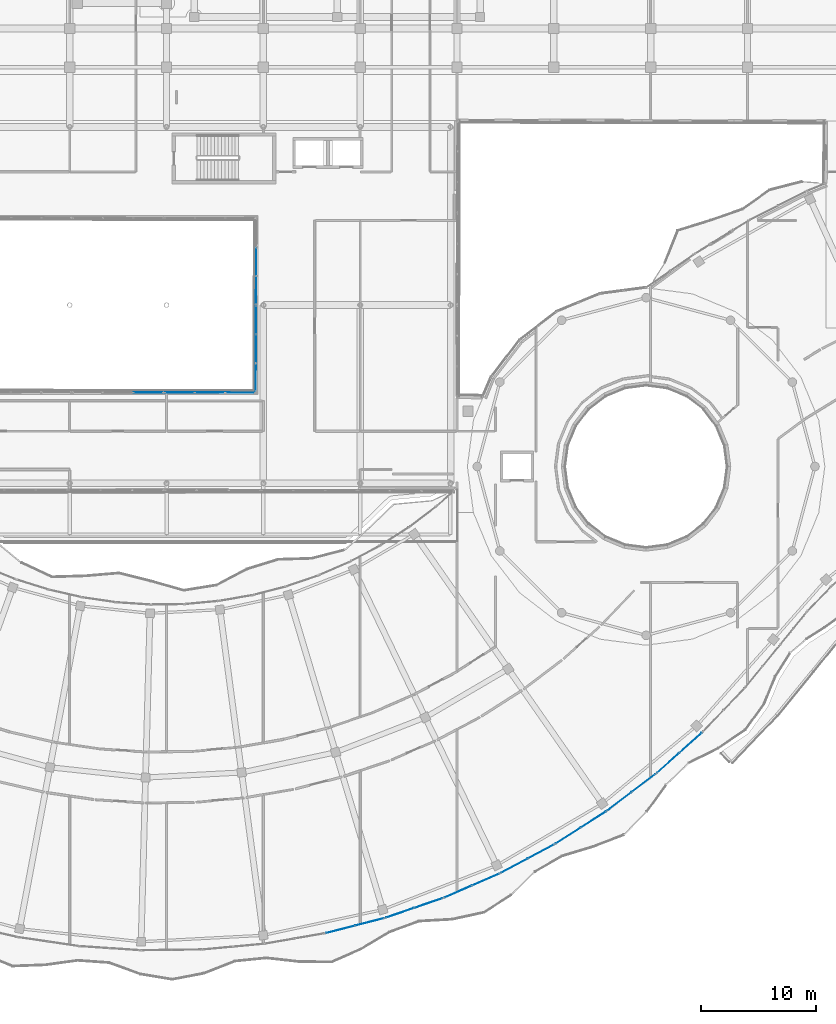
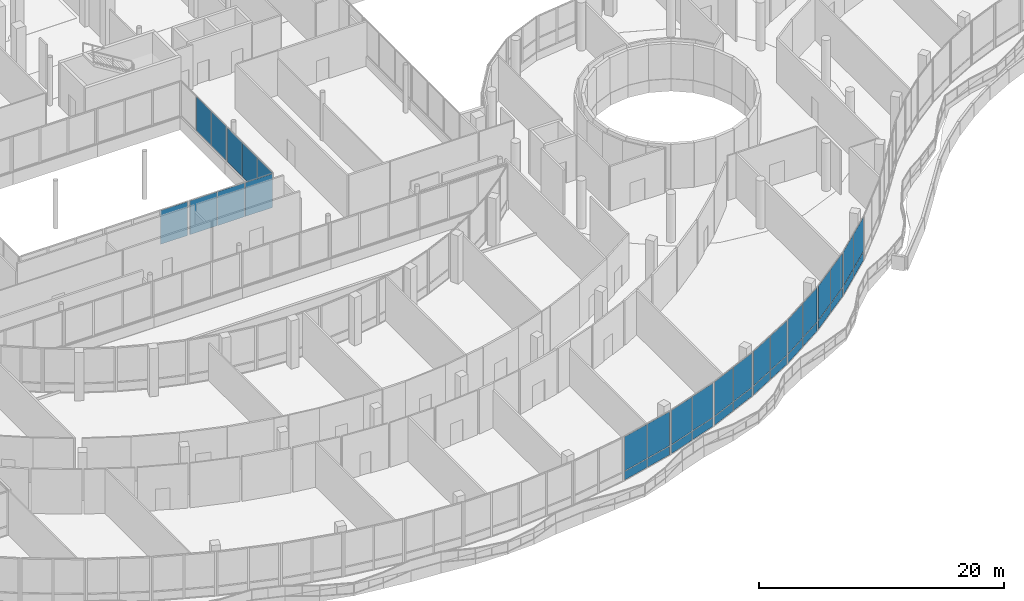
# One storey, part 126 of 168: 37 plates, 11 elements without a shape of their own.
"""IFC4 building model written with IfcOpenShell, lengths in metres."""

from ifc_helpers import new_model, si_unit, direction, frame, origin, origin_2d, place, context, subcontext, project, spatial, rectangle, extrude, material, layer, layer_set, type_object, element, aggregate, save


model = new_model("IFC4")

# Units and contexts
model_context = context("Model", 3, precision=1e-05, world=origin(), true_north=direction((0.0, 1.0)))
body_context = subcontext(model_context, "Body", "Model", "MODEL_VIEW")
ifc_project = project(units=[si_unit("LENGTHUNIT", "METRE"), si_unit("AREAUNIT", "SQUARE_METRE"), si_unit("VOLUMEUNIT", "CUBIC_METRE"), si_unit("PLANEANGLEUNIT", "RADIAN"), si_unit("MASSUNIT", "GRAM", prefix="KILO")], contexts=[model_context])

# Site, building, storey
site_placement = place(None, origin())
site = spatial("IfcSite", under=ifc_project, at=site_placement, CompositionType="ELEMENT")
building_placement = place(site_placement, origin())
building = spatial("IfcBuilding", under=site, at=building_placement, Name="Selatvlak General Hospital", CompositionType="ELEMENT")
storey_placement = place(building_placement, frame((0.0, 0.0, 5.39990234375)))
storey = spatial("IfcBuildingStorey", under=building, at=storey_placement, Name="L01", CompositionType="ELEMENT", Elevation=5.39990234375)

# Curtain wall, plates
ifc_material = material(Name="Solar-control Low-E double glazing", Category="glass")
curtain_wall_type_1 = type_object("IfcCurtainWallType", Name="CW-CW-02", PredefinedType="USERDEFINED", material=ifc_material)
curtain_wall_1_placement = place(storey_placement, origin())
curtain_wall_1 = element("IfcCurtainWall", 1, at=curtain_wall_1_placement, inside=storey, type_object=curtain_wall_type_1, Name="Glazed facade curtain wall CW-L01-0166", ObjectType="UNITISED CURTAIN WALL", PredefinedType="USERDEFINED")
ifc_layer = layer(ifc_material, 0.028076171875, Name="Solar-control Low-E double glazing", Category="glass")
ifc_layer_set = layer_set([ifc_layer], Name="Solar-control Low-E double glazing")
plate_type = type_object("IfcPlateType", Name="CWP-01", PredefinedType="CURTAIN_PANEL", material=ifc_layer_set)
plate_1_placement = place(storey_placement, frame((101.858642578125, 30.025634765625, 0.065185546875), z_axis=(0.0, 0.0, 1.0), x_axis=(-0.746343691417, -0.665560736735, 0.0)))
plate_1 = element("IfcPlate", 2, at=plate_1_placement, type_object=plate_type, Name="CW-02 panel 1.1", PredefinedType="CURTAIN_PANEL", context=body_context, shape_type="SweptSolid", body=[
    extrude(rectangle(XDim=2.54541015625, YDim=0.028076171875, at=origin_2d()), origin(), (0.0, 0.0, 1.0), 0.8525390625),
])
plate_2_placement = place(storey_placement, frame((101.858642578125, 30.025634765625, 0.982666015625), z_axis=(0.0, 0.0, 1.0), x_axis=(-0.746343691417, -0.665560736735, 0.0)))
plate_2 = element("IfcPlate", 3, at=plate_2_placement, type_object=plate_type, Name="CW-02 panel 1.2", PredefinedType="CURTAIN_PANEL", context=body_context, shape_type="SweptSolid", body=[
    extrude(rectangle(XDim=2.54541015625, YDim=0.028076171875, at=origin_2d()), origin(), (0.0, 0.0, 1.0), 3.3974609375),
])
plate_3_placement = place(storey_placement, frame((99.910400390625, 28.288330078125, 0.065185546875), z_axis=(0.0, 0.0, 1.0), x_axis=(-0.746343691417, -0.665560736735, 0.0)))
plate_3 = element("IfcPlate", 4, at=plate_3_placement, type_object=plate_type, Name="CW-02 panel 2.1", PredefinedType="CURTAIN_PANEL", context=body_context, shape_type="SweptSolid", body=[
    extrude(rectangle(XDim=2.54541015625, YDim=0.028076171875, at=origin_2d()), origin(), (0.0, 0.0, 1.0), 0.8525390625),
])
plate_4_placement = place(storey_placement, frame((99.910400390625, 28.288330078125, 0.982666015625), z_axis=(0.0, 0.0, 1.0), x_axis=(-0.746343691417, -0.665560736735, 0.0)))
plate_4 = element("IfcPlate", 5, at=plate_4_placement, type_object=plate_type, Name="CW-02 panel 2.2", PredefinedType="CURTAIN_PANEL", context=body_context, shape_type="SweptSolid", body=[
    extrude(rectangle(XDim=2.54541015625, YDim=0.028076171875, at=origin_2d()), origin(), (0.0, 0.0, 1.0), 3.3974609375),
])
aggregate(curtain_wall_1, [plate_1, plate_2, plate_3, plate_4])

curtain_wall_type_2 = type_object("IfcCurtainWallType", Name="CW-CW-01", PredefinedType="USERDEFINED", material=ifc_material)
curtain_wall_2_placement = place(storey_placement, origin())
curtain_wall_2 = element("IfcCurtainWall", 6, at=curtain_wall_2_placement, inside=storey, type_object=curtain_wall_type_2, Name="Glazed facade curtain wall CW-L01-0167", ObjectType="UNITISED CURTAIN WALL", PredefinedType="USERDEFINED")
plate_5_placement = place(storey_placement, frame((97.782958984375, 26.5400390625, 0.065185546875), z_axis=(0.0, 0.0, 1.0), x_axis=(-0.796537386874, -0.60458927489, 0.0)))
plate_5 = element("IfcPlate", 7, at=plate_5_placement, type_object=plate_type, Name="CW-01 panel 1.1", PredefinedType="CURTAIN_PANEL", context=body_context, shape_type="SweptSolid", body=[
    extrude(rectangle(XDim=2.54638671875, YDim=0.028076171875, at=origin_2d()), origin(), (0.0, 0.0, 1.0), 0.8525390625),
])
plate_6_placement = place(storey_placement, frame((97.782958984375, 26.5400390625, 0.982666015625), z_axis=(0.0, 0.0, 1.0), x_axis=(-0.796537386874, -0.60458927489, 0.0)))
plate_6 = element("IfcPlate", 8, at=plate_6_placement, type_object=plate_type, Name="CW-01 panel 1.2", PredefinedType="CURTAIN_PANEL", context=body_context, shape_type="SweptSolid", body=[
    extrude(rectangle(XDim=2.54638671875, YDim=0.028076171875, at=origin_2d()), origin(), (0.0, 0.0, 1.0), 3.3974609375),
])
plate_7_placement = place(storey_placement, frame((95.702880859375, 24.961181640625, 0.065185546875), z_axis=(0.0, 0.0, 1.0), x_axis=(-0.796537386874, -0.60458927489, 0.0)))
plate_7 = element("IfcPlate", 9, at=plate_7_placement, type_object=plate_type, Name="CW-01 panel 2.1", PredefinedType="CURTAIN_PANEL", context=body_context, shape_type="SweptSolid", body=[
    extrude(rectangle(XDim=2.54638671875, YDim=0.028076171875, at=origin_2d()), origin(), (0.0, 0.0, 1.0), 0.8525390625),
])
plate_8_placement = place(storey_placement, frame((95.702880859375, 24.961181640625, 0.982666015625), z_axis=(0.0, 0.0, 1.0), x_axis=(-0.796537386874, -0.60458927489, 0.0)))
plate_8 = element("IfcPlate", 10, at=plate_8_placement, type_object=plate_type, Name="CW-01 panel 2.2", PredefinedType="CURTAIN_PANEL", context=body_context, shape_type="SweptSolid", body=[
    extrude(rectangle(XDim=2.54638671875, YDim=0.028076171875, at=origin_2d()), origin(), (0.0, 0.0, 1.0), 3.3974609375),
])
aggregate(curtain_wall_2, [plate_5, plate_6, plate_7, plate_8])

curtain_wall_3_placement = place(storey_placement, origin())
curtain_wall_3 = element("IfcCurtainWall", 11, at=curtain_wall_3_placement, inside=storey, type_object=curtain_wall_type_1, Name="Glazed facade curtain wall CW-L01-0168", ObjectType="UNITISED CURTAIN WALL", PredefinedType="USERDEFINED")
plate_9_placement = place(storey_placement, frame((93.443115234375, 23.38671875, 0.065185546875), z_axis=(0.0, 0.0, 1.0), x_axis=(-0.842264530381, -0.539064431086, 0.0)))
plate_9 = element("IfcPlate", 12, at=plate_9_placement, type_object=plate_type, Name="CW-02 panel 1.1", PredefinedType="CURTAIN_PANEL", context=body_context, shape_type="SweptSolid", body=[
    extrude(rectangle(XDim=2.5458984375, YDim=0.028076171875, at=origin_2d()), origin(), (0.0, 0.0, 1.0), 0.8525390625),
])
plate_10_placement = place(storey_placement, frame((93.443115234375, 23.38671875, 0.982666015625), z_axis=(0.0, 0.0, 1.0), x_axis=(-0.842264530381, -0.539064431086, 0.0)))
plate_10 = element("IfcPlate", 13, at=plate_10_placement, type_object=plate_type, Name="CW-02 panel 1.2", PredefinedType="CURTAIN_PANEL", context=body_context, shape_type="SweptSolid", body=[
    extrude(rectangle(XDim=2.5458984375, YDim=0.028076171875, at=origin_2d()), origin(), (0.0, 0.0, 1.0), 3.3974609375),
])
plate_11_placement = place(storey_placement, frame((91.243896484375, 21.979248046875, 0.065185546875), z_axis=(0.0, 0.0, 1.0), x_axis=(-0.842264530381, -0.539064431086, 0.0)))
plate_11 = element("IfcPlate", 14, at=plate_11_placement, type_object=plate_type, Name="CW-02 panel 2.1", PredefinedType="CURTAIN_PANEL", context=body_context, shape_type="SweptSolid", body=[
    extrude(rectangle(XDim=2.5458984375, YDim=0.028076171875, at=origin_2d()), origin(), (0.0, 0.0, 1.0), 0.8525390625),
])
plate_12_placement = place(storey_placement, frame((91.243896484375, 21.979248046875, 0.982666015625), z_axis=(0.0, 0.0, 1.0), x_axis=(-0.842264530381, -0.539064431086, 0.0)))
plate_12 = element("IfcPlate", 15, at=plate_12_placement, type_object=plate_type, Name="CW-02 panel 2.2", PredefinedType="CURTAIN_PANEL", context=body_context, shape_type="SweptSolid", body=[
    extrude(rectangle(XDim=2.5458984375, YDim=0.028076171875, at=origin_2d()), origin(), (0.0, 0.0, 1.0), 3.3974609375),
])
aggregate(curtain_wall_3, [plate_9, plate_10, plate_11, plate_12])

curtain_wall_4_placement = place(storey_placement, origin())
curtain_wall_4 = element("IfcCurtainWall", 16, at=curtain_wall_4_placement, inside=storey, type_object=curtain_wall_type_2, Name="Glazed facade curtain wall CW-L01-0169", ObjectType="UNITISED CURTAIN WALL", PredefinedType="USERDEFINED")
plate_13_placement = place(storey_placement, frame((88.866943359375, 20.58984375, 0.065185546875), z_axis=(0.0, 0.0, 1.0), x_axis=(-0.882426269162, -0.470450719515, 0.0)))
plate_13 = element("IfcPlate", 17, at=plate_13_placement, type_object=plate_type, Name="CW-01 panel 1.1", PredefinedType="CURTAIN_PANEL", context=body_context, shape_type="SweptSolid", body=[
    extrude(rectangle(XDim=2.544677734375, YDim=0.028076171875, at=origin_2d()), origin(), (0.0, 0.0, 1.0), 0.8525390625),
])
plate_14_placement = place(storey_placement, frame((88.866943359375, 20.58984375, 0.982666015625), z_axis=(0.0, 0.0, 1.0), x_axis=(-0.882426269162, -0.470450719515, 0.0)))
plate_14 = element("IfcPlate", 18, at=plate_14_placement, type_object=plate_type, Name="CW-01 panel 1.2", PredefinedType="CURTAIN_PANEL", context=body_context, shape_type="SweptSolid", body=[
    extrude(rectangle(XDim=2.544677734375, YDim=0.028076171875, at=origin_2d()), origin(), (0.0, 0.0, 1.0), 3.3974609375),
])
plate_15_placement = place(storey_placement, frame((86.564208984375, 19.362060546875, 0.065185546875), z_axis=(0.0, 0.0, 1.0), x_axis=(-0.882426269162, -0.470450719515, 0.0)))
plate_15 = element("IfcPlate", 19, at=plate_15_placement, type_object=plate_type, Name="CW-01 panel 2.1", PredefinedType="CURTAIN_PANEL", context=body_context, shape_type="SweptSolid", body=[
    extrude(rectangle(XDim=2.544677734375, YDim=0.028076171875, at=origin_2d()), origin(), (0.0, 0.0, 1.0), 0.8525390625),
])
plate_16_placement = place(storey_placement, frame((86.564208984375, 19.362060546875, 0.982666015625), z_axis=(0.0, 0.0, 1.0), x_axis=(-0.882426269162, -0.470450719515, 0.0)))
plate_16 = element("IfcPlate", 20, at=plate_16_placement, type_object=plate_type, Name="CW-01 panel 2.2", PredefinedType="CURTAIN_PANEL", context=body_context, shape_type="SweptSolid", body=[
    extrude(rectangle(XDim=2.544677734375, YDim=0.028076171875, at=origin_2d()), origin(), (0.0, 0.0, 1.0), 3.3974609375),
])
aggregate(curtain_wall_4, [plate_13, plate_14, plate_15, plate_16])

curtain_wall_5_placement = place(storey_placement, origin())
curtain_wall_5 = element("IfcCurtainWall", 21, at=curtain_wall_5_placement, inside=storey, type_object=curtain_wall_type_1, Name="Glazed facade curtain wall CW-L01-0170", ObjectType="UNITISED CURTAIN WALL", PredefinedType="USERDEFINED")
plate_17_placement = place(storey_placement, frame((84.083984375, 18.16552734375, 0.065185546875), z_axis=(0.0, 0.0, 1.0), x_axis=(-0.916781197822, -0.399389828763, 0.0)))
plate_17 = element("IfcPlate", 22, at=plate_17_placement, type_object=plate_type, Name="CW-02 panel 1.1", PredefinedType="CURTAIN_PANEL", context=body_context, shape_type="SweptSolid", body=[
    extrude(rectangle(XDim=2.546630859375, YDim=0.028076171875, at=origin_2d()), origin(), (0.0, 0.0, 1.0), 0.8525390625),
])
plate_18_placement = place(storey_placement, frame((84.083984375, 18.16552734375, 0.982666015625), z_axis=(0.0, 0.0, 1.0), x_axis=(-0.916781197822, -0.399389828763, 0.0)))
plate_18 = element("IfcPlate", 23, at=plate_18_placement, type_object=plate_type, Name="CW-02 panel 1.2", PredefinedType="CURTAIN_PANEL", context=body_context, shape_type="SweptSolid", body=[
    extrude(rectangle(XDim=2.546630859375, YDim=0.028076171875, at=origin_2d()), origin(), (0.0, 0.0, 1.0), 3.3974609375),
])
plate_19_placement = place(storey_placement, frame((81.68994140625, 17.12255859375, 0.065185546875), z_axis=(0.0, 0.0, 1.0), x_axis=(-0.916781197822, -0.399389828763, 0.0)))
plate_19 = element("IfcPlate", 24, at=plate_19_placement, type_object=plate_type, Name="CW-02 panel 2.1", PredefinedType="CURTAIN_PANEL", context=body_context, shape_type="SweptSolid", body=[
    extrude(rectangle(XDim=2.546630859375, YDim=0.028076171875, at=origin_2d()), origin(), (0.0, 0.0, 1.0), 0.8525390625),
])
plate_20_placement = place(storey_placement, frame((81.68994140625, 17.12255859375, 0.982666015625), z_axis=(0.0, 0.0, 1.0), x_axis=(-0.916781197822, -0.399389828763, 0.0)))
plate_20 = element("IfcPlate", 25, at=plate_20_placement, type_object=plate_type, Name="CW-02 panel 2.2", PredefinedType="CURTAIN_PANEL", context=body_context, shape_type="SweptSolid", body=[
    extrude(rectangle(XDim=2.546630859375, YDim=0.028076171875, at=origin_2d()), origin(), (0.0, 0.0, 1.0), 3.3974609375),
])
aggregate(curtain_wall_5, [plate_17, plate_18, plate_19, plate_20])

curtain_wall_6_placement = place(storey_placement, origin())
curtain_wall_6 = element("IfcCurtainWall", 26, at=curtain_wall_6_placement, inside=storey, type_object=curtain_wall_type_2, Name="Glazed facade curtain wall CW-L01-0171", ObjectType="UNITISED CURTAIN WALL", PredefinedType="USERDEFINED")
plate_21_placement = place(storey_placement, frame((79.121826171875, 16.12646484375, 0.065185546875), z_axis=(0.0, 0.0, 1.0), x_axis=(-0.945848129563, -0.324609481996, 0.0)))
plate_21 = element("IfcPlate", 27, at=plate_21_placement, type_object=plate_type, Name="CW-01 panel 1.1", PredefinedType="CURTAIN_PANEL", context=body_context, shape_type="SweptSolid", body=[
    extrude(rectangle(XDim=2.547119140625, YDim=0.028076171875, at=origin_2d()), origin(), (0.0, 0.0, 1.0), 0.8525390625),
])
plate_22_placement = place(storey_placement, frame((79.121826171875, 16.12646484375, 0.982666015625), z_axis=(0.0, 0.0, 1.0), x_axis=(-0.945848129563, -0.324609481996, 0.0)))
plate_22 = element("IfcPlate", 28, at=plate_22_placement, type_object=plate_type, Name="CW-01 panel 1.2", PredefinedType="CURTAIN_PANEL", context=body_context, shape_type="SweptSolid", body=[
    extrude(rectangle(XDim=2.547119140625, YDim=0.028076171875, at=origin_2d()), origin(), (0.0, 0.0, 1.0), 3.3974609375),
])
plate_23_placement = place(storey_placement, frame((76.651123046875, 15.278564453125, 0.065185546875), z_axis=(0.0, 0.0, 1.0), x_axis=(-0.945848129563, -0.324609481996, 0.0)))
plate_23 = element("IfcPlate", 29, at=plate_23_placement, type_object=plate_type, Name="CW-01 panel 2.1", PredefinedType="CURTAIN_PANEL", context=body_context, shape_type="SweptSolid", body=[
    extrude(rectangle(XDim=2.547119140625, YDim=0.028076171875, at=origin_2d()), origin(), (0.0, 0.0, 1.0), 0.8525390625),
])
plate_24_placement = place(storey_placement, frame((76.651123046875, 15.278564453125, 0.982666015625), z_axis=(0.0, 0.0, 1.0), x_axis=(-0.945848129563, -0.324609481996, 0.0)))
plate_24 = element("IfcPlate", 30, at=plate_24_placement, type_object=plate_type, Name="CW-01 panel 2.2", PredefinedType="CURTAIN_PANEL", context=body_context, shape_type="SweptSolid", body=[
    extrude(rectangle(XDim=2.547119140625, YDim=0.028076171875, at=origin_2d()), origin(), (0.0, 0.0, 1.0), 3.3974609375),
])
aggregate(curtain_wall_6, [plate_21, plate_22, plate_23, plate_24])

curtain_wall_7_placement = place(storey_placement, origin())
curtain_wall_7 = element("IfcCurtainWall", 31, at=curtain_wall_7_placement, inside=storey, type_object=curtain_wall_type_1, Name="Glazed facade curtain wall CW-L01-0172", ObjectType="UNITISED CURTAIN WALL", PredefinedType="USERDEFINED")
plate_25_placement = place(storey_placement, frame((74.012939453125, 14.49072265625, 0.065185546875), z_axis=(0.0, 0.0, 1.0), x_axis=(-0.968620644098, -0.248543854938, 0.0)))
plate_25 = element("IfcPlate", 32, at=plate_25_placement, type_object=plate_type, Name="CW-02 panel 1.1", PredefinedType="CURTAIN_PANEL", context=body_context, shape_type="SweptSolid", body=[
    extrude(rectangle(XDim=2.5439453125, YDim=0.028076171875, at=origin_2d()), origin(), (0.0, 0.0, 1.0), 0.8525390625),
])
plate_26_placement = place(storey_placement, frame((74.012939453125, 14.49072265625, 0.982666015625), z_axis=(0.0, 0.0, 1.0), x_axis=(-0.968620644098, -0.248543854938, 0.0)))
plate_26 = element("IfcPlate", 33, at=plate_26_placement, type_object=plate_type, Name="CW-02 panel 1.2", PredefinedType="CURTAIN_PANEL", context=body_context, shape_type="SweptSolid", body=[
    extrude(rectangle(XDim=2.5439453125, YDim=0.028076171875, at=origin_2d()), origin(), (0.0, 0.0, 1.0), 3.3974609375),
])
plate_27_placement = place(storey_placement, frame((71.486083984375, 13.84228515625, 0.065185546875), z_axis=(0.0, 0.0, 1.0), x_axis=(-0.968620644098, -0.248543854938, 0.0)))
plate_27 = element("IfcPlate", 34, at=plate_27_placement, type_object=plate_type, Name="CW-02 panel 2.1", PredefinedType="CURTAIN_PANEL", context=body_context, shape_type="SweptSolid", body=[
    extrude(rectangle(XDim=2.5439453125, YDim=0.028076171875, at=origin_2d()), origin(), (0.0, 0.0, 1.0), 0.8525390625),
])
plate_28_placement = place(storey_placement, frame((71.486083984375, 13.84228515625, 0.982666015625), z_axis=(0.0, 0.0, 1.0), x_axis=(-0.968620644098, -0.248543854938, 0.0)))
plate_28 = element("IfcPlate", 35, at=plate_28_placement, type_object=plate_type, Name="CW-02 panel 2.2", PredefinedType="CURTAIN_PANEL", context=body_context, shape_type="SweptSolid", body=[
    extrude(rectangle(XDim=2.5439453125, YDim=0.028076171875, at=origin_2d()), origin(), (0.0, 0.0, 1.0), 3.3974609375),
])
aggregate(curtain_wall_7, [plate_25, plate_26, plate_27, plate_28])

# Curtain wall, plate
curtain_wall_8_placement = place(storey_placement, origin())
curtain_wall_8 = element("IfcCurtainWall", 36, at=curtain_wall_8_placement, inside=storey, type_object=curtain_wall_type_1, Name="Glazed facade curtain wall CW-L01-0232", ObjectType="UNITISED CURTAIN WALL", PredefinedType="USERDEFINED")
plate_29_placement = place(storey_placement, frame((54.81201171875, 60.42333984375, 1.005126953125), z_axis=(0.0, 0.0, 1.0), x_axis=(0.999996795401, -0.002531637448, 0.0)))
plate_29 = element("IfcPlate", 37, at=plate_29_placement, type_object=plate_type, Name="CW-02 panel 3.1", PredefinedType="CURTAIN_PANEL", context=body_context, shape_type="SweptSolid", body=[
    extrude(rectangle(XDim=2.535888671875, YDim=0.028076171875, at=origin_2d()), origin(), (0.0, 0.0, 1.0), 3.375),
])
aggregate(curtain_wall_8, [plate_29])

# Curtain wall, plates
curtain_wall_9_placement = place(storey_placement, origin())
curtain_wall_9 = element("IfcCurtainWall", 38, at=curtain_wall_9_placement, inside=storey, type_object=curtain_wall_type_2, Name="Glazed facade curtain wall CW-L01-0233", ObjectType="UNITISED CURTAIN WALL", PredefinedType="USERDEFINED")
plate_30_placement = place(storey_placement, frame((57.557861328125, 60.41650390625, 1.005126953125), z_axis=(0.0, 0.0, 1.0), x_axis=(0.999996795401, -0.002531637448, 0.0)))
plate_30 = element("IfcPlate", 39, at=plate_30_placement, type_object=plate_type, Name="CW-01 panel 1.1", PredefinedType="CURTAIN_PANEL", context=body_context, shape_type="SweptSolid", body=[
    extrude(rectangle(XDim=2.535888671875, YDim=0.028076171875, at=origin_2d()), origin(), (0.0, 0.0, 1.0), 3.375),
])
plate_31_placement = place(storey_placement, frame((60.175048828125, 60.409912109375, 1.005126953125), z_axis=(0.0, 0.0, 1.0), x_axis=(0.999996795401, -0.002531637448, 0.0)))
plate_31 = element("IfcPlate", 40, at=plate_31_placement, type_object=plate_type, Name="CW-01 panel 2.1", PredefinedType="CURTAIN_PANEL", context=body_context, shape_type="SweptSolid", body=[
    extrude(rectangle(XDim=2.568359375, YDim=0.028076171875, at=origin_2d()), origin(), (0.0, 0.0, 1.0), 3.375),
])
plate_32_placement = place(storey_placement, frame((62.7919921875, 60.4033203125, 1.005126953125), z_axis=(0.0, 0.0, 1.0), x_axis=(0.999996795401, -0.002531637448, 0.0)))
plate_32 = element("IfcPlate", 41, at=plate_32_placement, type_object=plate_type, Name="CW-01 panel 3.1", PredefinedType="CURTAIN_PANEL", context=body_context, shape_type="SweptSolid", body=[
    extrude(rectangle(XDim=2.535888671875, YDim=0.028076171875, at=origin_2d()), origin(), (0.0, 0.0, 1.0), 3.375),
])
aggregate(curtain_wall_9, [plate_30, plate_31, plate_32])

curtain_wall_10_placement = place(storey_placement, origin())
curtain_wall_10 = element("IfcCurtainWall", 42, at=curtain_wall_10_placement, inside=storey, type_object=curtain_wall_type_2, Name="Glazed facade curtain wall CW-L01-0234", ObjectType="UNITISED CURTAIN WALL", PredefinedType="USERDEFINED")
plate_33_placement = place(storey_placement, frame((64.14501953125, 61.7294921875, 1.005126953125), z_axis=(0.0, 0.0, 1.0), x_axis=(0.00400530832, 0.99999197872, 0.0)))
plate_33 = element("IfcPlate", 43, at=plate_33_placement, type_object=plate_type, Name="CW-01 panel 1.1", PredefinedType="CURTAIN_PANEL", context=body_context, shape_type="SweptSolid", body=[
    extrude(rectangle(XDim=2.399169921875, YDim=0.028076171875, at=origin_2d()), origin(), (0.0, 0.0, 1.0), 3.375),
])
plate_34_placement = place(storey_placement, frame((64.155029296875, 64.2099609375, 1.005126953125), z_axis=(0.0, 0.0, 1.0), x_axis=(0.00400530832, 0.99999197872, 0.0)))
plate_34 = element("IfcPlate", 44, at=plate_34_placement, type_object=plate_type, Name="CW-01 panel 2.1", PredefinedType="CURTAIN_PANEL", context=body_context, shape_type="SweptSolid", body=[
    extrude(rectangle(XDim=2.431640625, YDim=0.028076171875, at=origin_2d()), origin(), (0.0, 0.0, 1.0), 3.375),
])
plate_35_placement = place(storey_placement, frame((64.1650390625, 66.6904296875, 1.005126953125), z_axis=(0.0, 0.0, 1.0), x_axis=(0.00400530832, 0.99999197872, 0.0)))
plate_35 = element("IfcPlate", 45, at=plate_35_placement, type_object=plate_type, Name="CW-01 panel 3.1", PredefinedType="CURTAIN_PANEL", context=body_context, shape_type="SweptSolid", body=[
    extrude(rectangle(XDim=2.399169921875, YDim=0.028076171875, at=origin_2d()), origin(), (0.0, 0.0, 1.0), 3.375),
])
aggregate(curtain_wall_10, [plate_33, plate_34, plate_35])

curtain_wall_11_placement = place(storey_placement, origin())
curtain_wall_11 = element("IfcCurtainWall", 46, at=curtain_wall_11_placement, inside=storey, type_object=curtain_wall_type_1, Name="Glazed facade curtain wall CW-L01-0235", ObjectType="UNITISED CURTAIN WALL", PredefinedType="USERDEFINED")
plate_36_placement = place(storey_placement, frame((64.175048828125, 69.299560546875, 1.005126953125), z_axis=(0.0, 0.0, 1.0), x_axis=(0.00400530832, 0.99999197872, 0.0)))
plate_36 = element("IfcPlate", 47, at=plate_36_placement, type_object=plate_type, Name="CW-02 panel 1.1", PredefinedType="CURTAIN_PANEL", context=body_context, shape_type="SweptSolid", body=[
    extrude(rectangle(XDim=2.399169921875, YDim=0.028076171875, at=origin_2d()), origin(), (0.0, 0.0, 1.0), 3.375),
])
plate_37_placement = place(storey_placement, frame((64.18505859375, 71.780029296875, 1.005126953125), z_axis=(0.0, 0.0, 1.0), x_axis=(0.00400530832, 0.99999197872, 0.0)))
plate_37 = element("IfcPlate", 48, at=plate_37_placement, type_object=plate_type, Name="CW-02 panel 2.1", PredefinedType="CURTAIN_PANEL", context=body_context, shape_type="SweptSolid", body=[
    extrude(rectangle(XDim=2.431640625, YDim=0.028076171875, at=origin_2d()), origin(), (0.0, 0.0, 1.0), 3.375),
])
aggregate(curtain_wall_11, [plate_36, plate_37])

save(model, "model.ifc")
